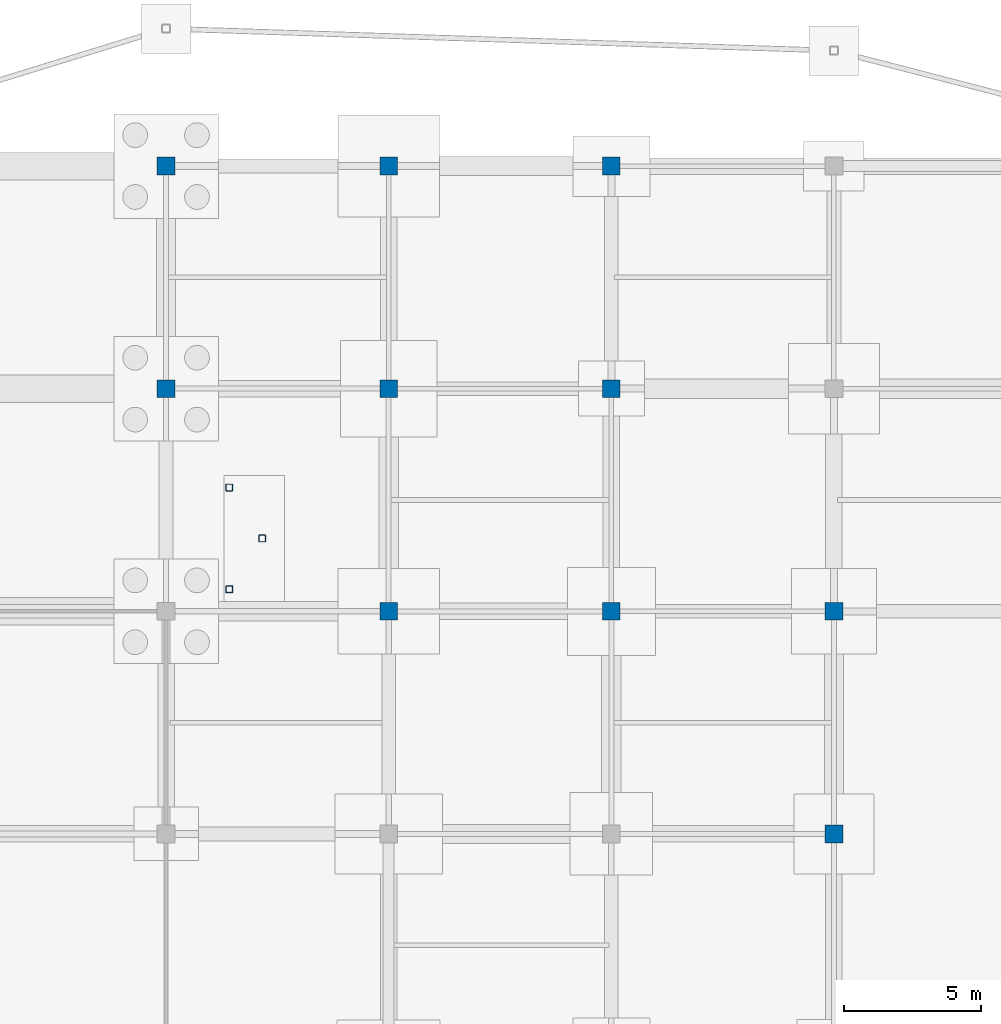
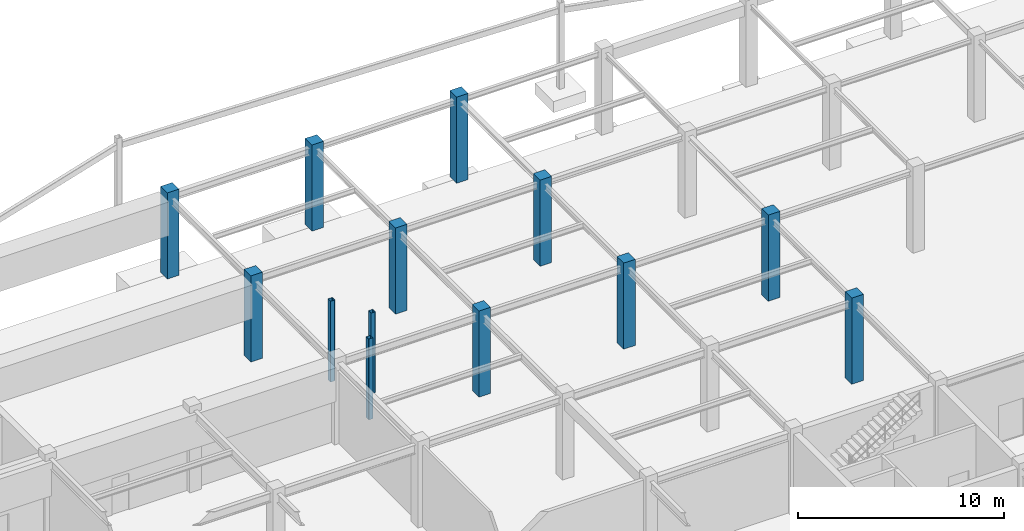
# One storey, part 16 of 67: 13 columns.
"""IFC4 building model written with IfcOpenShell, lengths in metres."""

from ifc_helpers import new_model, si_unit, direction, frame, origin, origin_2d, place, context, subcontext, project, spatial, rectangle, hollow_rectangle, extrude, material, material_profile, profile_set, type_object, element, save


model = new_model("IFC4")

# Units and contexts
model_context = context("Model", 3, precision=1e-05, world=origin(), true_north=direction((0.0, 1.0)))
body_context = subcontext(model_context, "Body", "Model", "MODEL_VIEW")
ifc_project = project(units=[si_unit("LENGTHUNIT", "METRE"), si_unit("AREAUNIT", "SQUARE_METRE"), si_unit("VOLUMEUNIT", "CUBIC_METRE"), si_unit("PLANEANGLEUNIT", "RADIAN"), si_unit("MASSUNIT", "GRAM", prefix="KILO")], contexts=[model_context])

# Site, building, storey
site_placement = place(None, origin())
site = spatial("IfcSite", under=ifc_project, at=site_placement, CompositionType="ELEMENT")
building_placement = place(site_placement, origin())
building = spatial("IfcBuilding", under=site, at=building_placement, Name="Vaudrelin Polytechnic", CompositionType="ELEMENT")
storey_placement = place(building_placement, frame((0.0, 0.0, -5.10009765625)))
storey = spatial("IfcBuildingStorey", under=building, at=storey_placement, Name="B1", CompositionType="ELEMENT", Elevation=-5.10009765625)

# Columns
ifc_material_1 = material(Name="Steel CSA G40.21 350W", Category="steel")
ifc_material_profile_1 = material_profile(ifc_material_1, hollow_rectangle(XDim=0.25390625, YDim=0.25390625, WallThickness=0.0126953125, InnerFilletRadius=0.0126953125, OuterFilletRadius=0.025390625, at=origin_2d()), Name="HSS254x254x12.7")
ifc_profile_set_1 = profile_set([ifc_material_profile_1], Name="Steel CSA G40.21 350W")
column_type_1 = type_object("IfcColumnType", Name="COL-C-HSS254", PredefinedType="COLUMN", material=ifc_profile_set_1)
for number, where, z_axis, x_axis, name in (
    (1, (75.199951171875, 33.199951171875, 0.0), (0.0, 0.0, 1.0), (1.0, 0.0, 0.0), "Basement winter-garden stair support post 1"),
    (2, (76.39990234375, 35.050048828125, 0.0), (0.0, 0.0, 1.0), (1.0, 0.0, 0.0), "Basement winter-garden stair support post 2"),
    (3, (75.199951171875, 36.89990234375, 0.0), (0.0, 0.0, 1.0), (1.0, 0.0, 0.0), "Basement winter-garden stair support post 3"),
):
    element("IfcColumn", number, at=place(storey_placement, frame(where, z_axis=z_axis, x_axis=x_axis)), inside=storey, type_object=column_type_1, Name=name, PredefinedType="COLUMN", context=body_context, shape_type="SweptSolid", body=[
        extrude(hollow_rectangle(XDim=0.25390625, YDim=0.25390625, WallThickness=0.0126953125, InnerFilletRadius=0.0126953125, OuterFilletRadius=0.025390625, at=origin_2d()), origin(), (0.0, 0.0, 1.0), 4.7841796875),
    ])
ifc_material_2 = material(Name="Concrete 40 MPa", Category="concrete")
ifc_material_profile_2 = material_profile(ifc_material_2, rectangle(XDim=0.64990234375, YDim=0.64990234375, at=origin_2d()), Name="RC650x650")
ifc_profile_set_2 = profile_set([ifc_material_profile_2], Name="Concrete 40 MPa")
column_type_2 = type_object("IfcColumnType", Name="COL-C-RC650", PredefinedType="COLUMN", material=ifc_profile_set_2)
for number, where, z_axis, x_axis, name in (
    (4, (72.89990234375, 40.5, 0.0), (0.0, 0.0, 1.0), (1.0, 0.0, 0.0), "Column B1 10-6"),
    (5, (72.89990234375, 48.60009765625, 0.0), (0.0, 0.0, 1.0), (1.0, 0.0, 0.0), "Column B1 10-7"),
    (6, (81.0, 32.39990234375, 0.0), (0.0, 0.0, 1.0), (1.0, 0.0, 0.0), "Column B1 11-5"),
    (7, (81.0, 40.5, 0.0), (0.0, 0.0, 1.0), (1.0, 0.0, 0.0), "Column B1 11-6"),
    (8, (81.0, 48.60009765625, 0.0), (0.0, 0.0, 1.0), (1.0, 0.0, 0.0), "Column B1 11-7"),
    (9, (89.10009765625, 32.39990234375, 0.0), (0.0, 0.0, 1.0), (1.0, 0.0, 0.0), "Column B1 12-5"),
    (10, (89.10009765625, 40.5, 0.0), (0.0, 0.0, 1.0), (1.0, 0.0, 0.0), "Column B1 12-6"),
    (11, (89.10009765625, 48.60009765625, 0.0), (0.0, 0.0, 1.0), (1.0, 0.0, 0.0), "Column B1 12-7"),
    (12, (97.199951171875, 24.300048828125, 0.0), (0.0, 0.0, 1.0), (1.0, 0.0, 0.0), "Column B1 13-4"),
    (13, (97.199951171875, 32.39990234375, 0.0), (0.0, 0.0, 1.0), (1.0, 0.0, 0.0), "Column B1 13-5"),
):
    element("IfcColumn", number, at=place(storey_placement, frame(where, z_axis=z_axis, x_axis=x_axis)), inside=storey, type_object=column_type_2, Name=name, PredefinedType="COLUMN", context=body_context, shape_type="SweptSolid", body=[
        extrude(rectangle(XDim=0.64990234375, YDim=0.64990234375, at=origin_2d()), origin(), (0.0, 0.0, 1.0), 5.10009765625),
    ])

save(model, "model.ifc")
